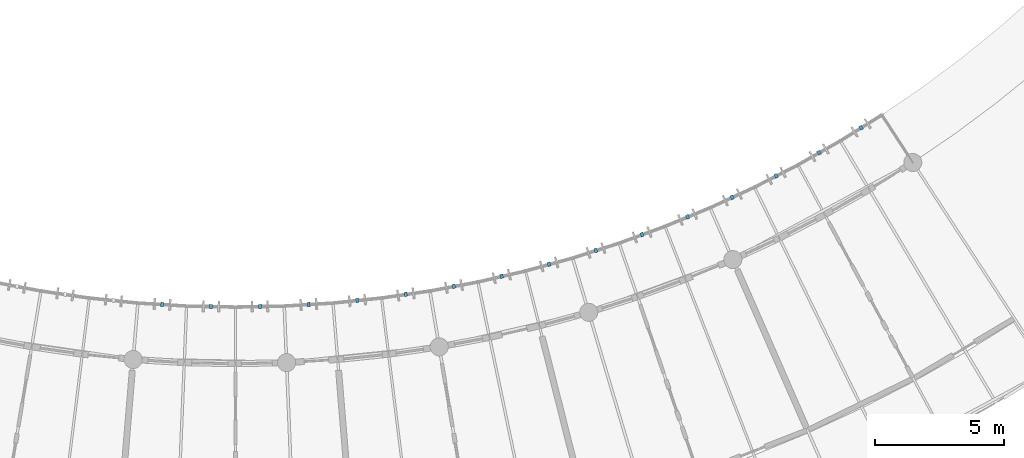
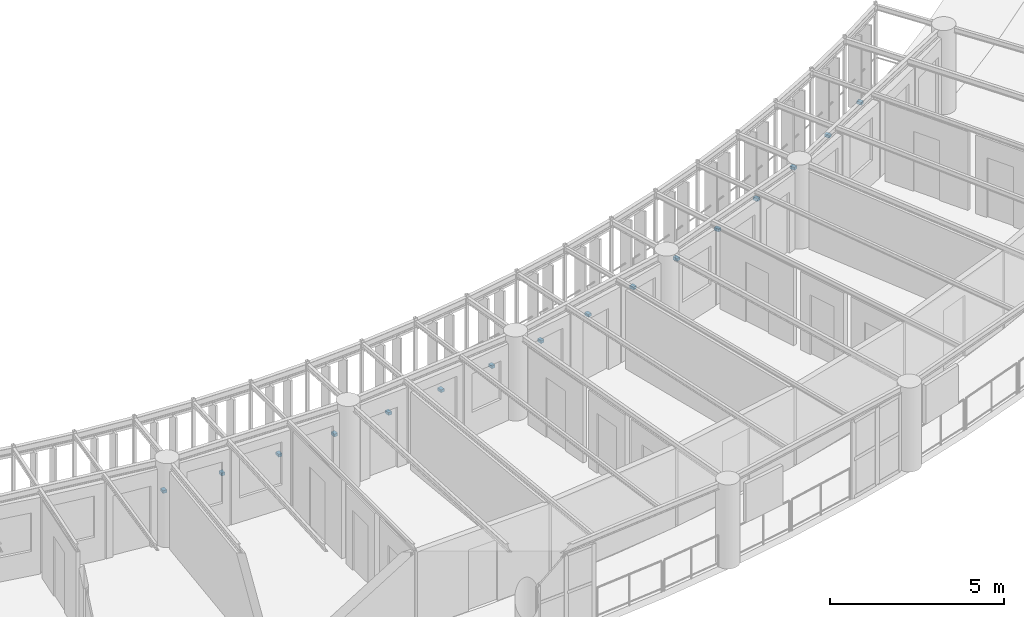
# One storey, part 118 of 137: 16 discrete accessories.
"""IFC4 building model written with IfcOpenShell, lengths in metres."""

from ifc_helpers import new_model, si_unit, direction, frame, origin, origin_2d, place, context, subcontext, project, spatial, rectangle, extrude, material, type_object, element, save


model = new_model("IFC4")

# Units and contexts
model_context = context("Model", 3, precision=1e-05, world=origin(), true_north=direction((0.0, 1.0)))
body_context = subcontext(model_context, "Body", "Model", "MODEL_VIEW")
ifc_project = project(units=[si_unit("LENGTHUNIT", "METRE"), si_unit("AREAUNIT", "SQUARE_METRE"), si_unit("VOLUMEUNIT", "CUBIC_METRE"), si_unit("PLANEANGLEUNIT", "RADIAN"), si_unit("MASSUNIT", "GRAM", prefix="KILO"), si_unit("POWERUNIT", "WATT"), si_unit("THERMODYNAMICTEMPERATUREUNIT", "KELVIN")], contexts=[model_context])

# Site, building, storey
site_placement = place(None, origin())
site = spatial("IfcSite", under=ifc_project, at=site_placement, CompositionType="ELEMENT")
building_placement = place(site_placement, origin())
building = spatial("IfcBuilding", under=site, at=building_placement, Name="Ruvembo Vaulted Housing Court", CompositionType="ELEMENT")
storey_placement = place(building_placement, frame((0.0, 0.0, 4.5)))
storey = spatial("IfcBuildingStorey", under=building, at=storey_placement, Name="L01", CompositionType="ELEMENT", Elevation=4.5)

# Discrete accessories
ifc_material = material(Name="Stainless Steel Grade 316", Category="steel")
discrete_accessory_type = type_object("IfcDiscreteAccessoryType", Name="ACC-BRACKET-SS", PredefinedType="BRACKET", material=ifc_material)
for number, where, z_axis, x_axis, name in (
    (1, (66.168212890625, 16.29736328125, 0.030029296875), (0.0, 0.0, 1.0), (-0.061832453863, -0.998086543166, 0.0), "Stainless Louvre Rail Bracket #108"),
    (2, (68.055419921875, 16.219482421875, 0.030029296875), (0.0, 0.0, 1.0), (-0.020645778066, -0.999786853208, 0.0), "Stainless Louvre Rail Bracket #109"),
    (3, (69.944580078125, 16.219482421875, 0.030029296875), (0.0, 0.0, 1.0), (0.020645778066, -0.999786853208, 0.0), "Stainless Louvre Rail Bracket #110"),
    (4, (71.831787109375, 16.29736328125, 0.030029296875), (0.0, 0.0, 1.0), (0.061832453863, -0.998086543166, 0.0), "Stainless Louvre Rail Bracket #111"),
    (5, (73.714111328125, 16.452880859375, 0.030029296875), (0.0, 0.0, 1.0), (0.102948783072, -0.994686658232, 0.0), "Stainless Louvre Rail Bracket #112"),
    (6, (75.58837890625, 16.686279296875, 0.030029296875), (0.0, 0.0, 1.0), (0.143872610257, -0.989596216655, 0.0), "Stainless Louvre Rail Bracket #113"),
    (7, (77.45166015625, 16.996337890625, 0.030029296875), (0.0, 0.0, 1.0), (0.184568910756, -0.982819575091, 0.0), "Stainless Louvre Rail Bracket #114"),
    (8, (79.300537109375, 17.38330078125, 0.030029296875), (0.0, 0.0, 1.0), (0.224951054344, -0.974370064785, 0.0), "Stainless Louvre Rail Bracket #115"),
    (9, (81.1318359375, 17.84619140625, 0.030029296875), (0.0, 0.0, 1.0), (0.264983965035, -0.96425281865, 0.0), "Stainless Louvre Rail Bracket #116"),
    (10, (82.9423828125, 18.384033203125, 0.030029296875), (0.0, 0.0, 1.0), (0.304448708958, -0.952528731122, 0.0), "Stainless Louvre Rail Bracket #117"),
    (11, (84.7294921875, 18.99609375, 0.030029296875), (0.0, 0.0, 1.0), (0.343512177766, -0.939148222447, 0.0), "Stainless Louvre Rail Bracket #118"),
    (12, (86.489501953125, 19.681396484375, 0.030029296875), (0.0, 0.0, 1.0), (0.381957701122, -0.924179806398, 0.0), "Stainless Louvre Rail Bracket #119"),
    (13, (88.219970703125, 20.438720703125, 0.030029296875), (0.0, 0.0, 1.0), (0.419737248448, -0.90764565898, 0.0), "Stainless Louvre Rail Bracket #120"),
    (14, (89.917724609375, 21.266845703125, 0.030029296875), (0.0, 0.0, 1.0), (0.456849537333, -0.889543984432, 0.0), "Stainless Louvre Rail Bracket #121"),
    (15, (91.579833984375, 22.1640625, 0.030029296875), (0.0, 0.0, 1.0), (0.493106983922, -0.86996867898, 0.0), "Stainless Louvre Rail Bracket #122"),
    (16, (93.20361328125, 23.129150390625, 0.030029296875), (0.0, 0.0, 1.0), (0.528556868381, -0.848897895443, 0.0), "Stainless Louvre Rail Bracket #123"),
):
    element("IfcDiscreteAccessory", number, at=place(storey_placement, frame(where, z_axis=z_axis, x_axis=x_axis)), inside=storey, type_object=discrete_accessory_type, Name=name, PredefinedType="BRACKET", context=body_context, shape_type="SweptSolid", body=[
        extrude(rectangle(XDim=0.159912109375, YDim=0.1201171875, at=origin_2d()), origin(), (0.0, 0.0, 1.0), 0.10009765625),
    ])

save(model, "model.ifc")
